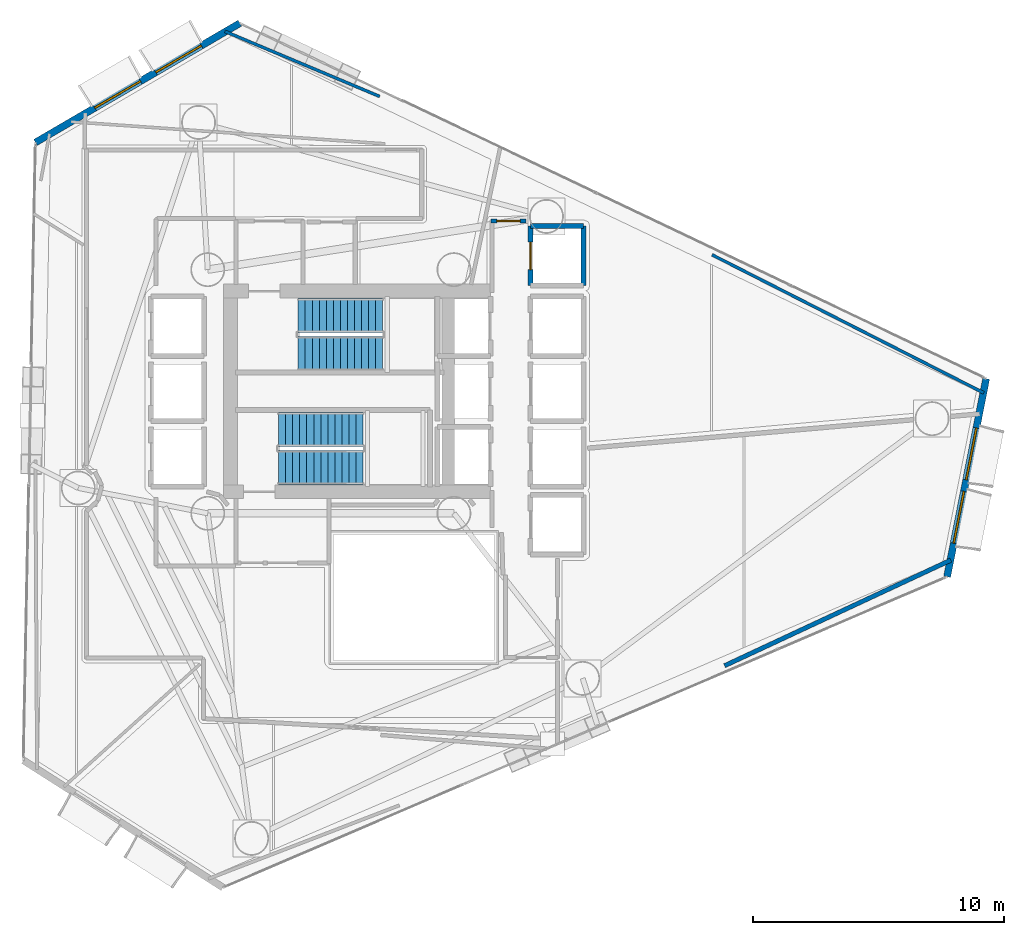
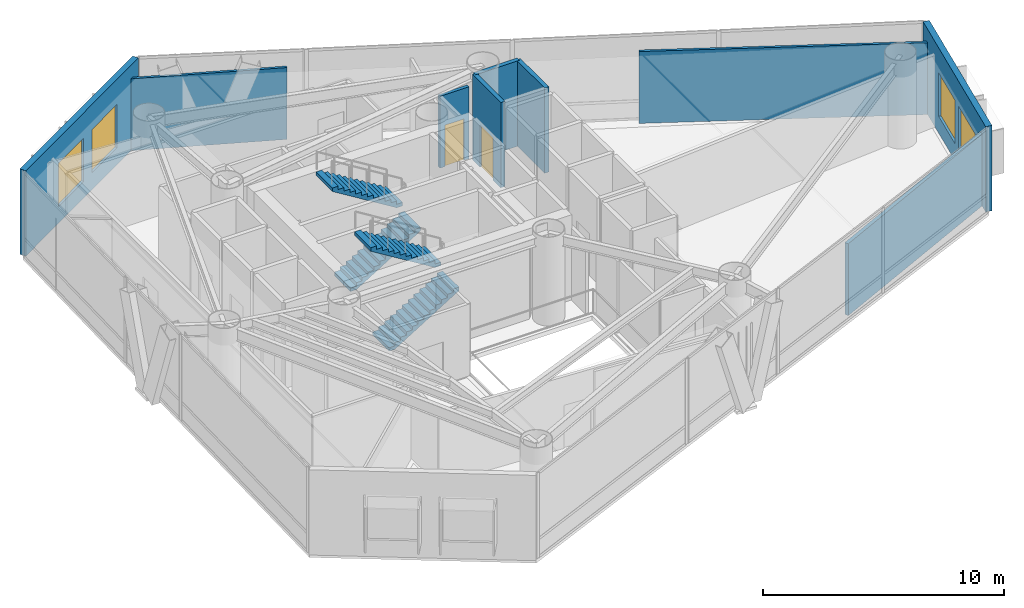
# One storey, part 18 of 21: 9 walls, 4 stair flights, 4 windows, 2 doors, 6 openings, 2 elements without a shape of their own.
"""IFC4 building model written with IfcOpenShell, lengths in metres."""

from ifc_helpers import new_model, si_unit, direction, frame, frame_2d, origin, place, context, subcontext, project, spatial, polyline, rectangle, outline, extrude, material, layer, layer_set, type_object, element, fill, aggregate, save


model = new_model("IFC4")

# Units and contexts
model_context = context("Model", 3, precision=1e-05, world=origin(), true_north=direction((0.0, 1.0)))
body_context = subcontext(model_context, "Body", "Model", "MODEL_VIEW")
ifc_project = project(units=[si_unit("LENGTHUNIT", "METRE"), si_unit("AREAUNIT", "SQUARE_METRE"), si_unit("VOLUMEUNIT", "CUBIC_METRE"), si_unit("PLANEANGLEUNIT", "RADIAN"), si_unit("MASSUNIT", "GRAM", prefix="KILO")], contexts=[model_context])

# Site, building, storey
site_placement = place(None, origin())
site = spatial("IfcSite", under=ifc_project, at=site_placement, CompositionType="ELEMENT")
building_placement = place(site_placement, origin())
building = spatial("IfcBuilding", under=site, at=building_placement, Name="Qianvela Tower", CompositionType="ELEMENT")
storey_placement = place(building_placement, frame((0.0, 0.0, 143.10009765625)))
storey = spatial("IfcBuildingStorey", under=building, at=storey_placement, Name="L36", CompositionType="ELEMENT", Elevation=143.10009765625)

# Wall, openings, windows
ifc_material_1 = material(Name="Terracotta Cladding on Concrete C40", Category="masonry")
ifc_layer_1 = layer(ifc_material_1, 0.280029296875)
ifc_layer_set_1 = layer_set([ifc_layer_1], Name="Terracotta Cladding on Concrete C40")
wall_type_1 = type_object("IfcWallType", Name="TERRACOTTA-WALL-280", PredefinedType="SOLIDWALL", material=ifc_layer_set_1)
wall_1_placement = place(storey_placement, frame((58.03466796875, 21.3251953125, 0.0), z_axis=(0.0, 0.0, 1.0), x_axis=(0.193252046098, 0.981149145991, 0.0)))
wall_1 = element("IfcWall", 1, at=wall_1_placement, inside=storey, type_object=wall_type_1, Name="L36 Terracotta Chamfer Facet Wall 1", PredefinedType="SOLIDWALL", context=body_context, shape_type="SweptSolid", body=[
    extrude(rectangle(XDim=8.03466796875, YDim=0.280029296875, at=frame_2d((4.017333984375, 0.0))), origin(), (0.0, 0.0, 1.0), 4.31982421875),
])
opening_1_placement = place(wall_1_placement, frame((1.3603515625, 0.0, 0.85009765625)))
opening_1 = element("IfcOpeningElement", 2, at=opening_1_placement, cuts=wall_1, Name="Opening W-04", PredefinedType="OPENING", context=body_context, shape_type="SweptSolid", body=[
    extrude(rectangle(XDim=2.10009765625, YDim=2.199951171875, at=frame_2d((1.050048828125, 1.10009765625))), frame((0.0, 0.14990234375, 0.0), z_axis=(0.0, -1.0, 0.0), x_axis=(1.0, 0.0, 0.0)), (0.0, 0.0, 1.0), 0.300048828125),
])
opening_2_placement = place(wall_1_placement, frame((3.934326171875, 0.0, 0.85009765625)))
opening_2 = element("IfcOpeningElement", 3, at=opening_2_placement, cuts=wall_1, Name="Opening W-04", PredefinedType="OPENING", context=body_context, shape_type="SweptSolid", body=[
    extrude(rectangle(XDim=2.10009765625, YDim=2.199951171875, at=frame_2d((1.050048828125, 1.10009765625))), frame((0.0, 0.14990234375, 0.0), z_axis=(0.0, -1.0, 0.0), x_axis=(1.0, 0.0, 0.0)), (0.0, 0.0, 1.0), 0.300048828125),
])
ifc_material_2 = material(Name="Thermally Broken Aluminium and Low-E Glass", Category="aluminium")
window_type = type_object("IfcWindowType", Name="WIN-TC-2100x2200", PartitioningType="TRIPLE_PANEL_VERTICAL", PredefinedType="WINDOW", material=ifc_material_2)
window_1_placement = place(opening_1_placement, origin())
window_1 = element("IfcWindow", 4, at=window_1_placement, inside=storey, type_object=window_type, Name="L36 Chamfer Facet Window 1.1", OverallHeight=2.199951171875, OverallWidth=2.10009765625, PartitioningType="SINGLE_PANEL", PredefinedType="WINDOW", context=body_context, shape_type="SweptSolid", body=[
    extrude(rectangle(XDim=2.10009765625, YDim=2.199951171875, at=frame_2d((1.050048828125, 1.10009765625))), frame((0.0, 0.030029296875, 0.0), z_axis=(0.0, -1.0, 0.0), x_axis=(1.0, 0.0, 0.0)), (0.0, 0.0, 1.0), 0.06005859375),
])
fill(opening_1, window_1)
window_2_placement = place(opening_2_placement, origin())
window_2 = element("IfcWindow", 5, at=window_2_placement, inside=storey, type_object=window_type, Name="L36 Chamfer Facet Window 1.2", OverallHeight=2.199951171875, OverallWidth=2.10009765625, PartitioningType="SINGLE_PANEL", PredefinedType="WINDOW", context=body_context, shape_type="SweptSolid", body=[
    extrude(rectangle(XDim=2.10009765625, YDim=2.199951171875, at=frame_2d((1.050048828125, 1.10009765625))), frame((0.0, 0.030029296875, 0.0), z_axis=(0.0, -1.0, 0.0), x_axis=(1.0, 0.0, 0.0)), (0.0, 0.0, 1.0), 0.06005859375),
])
fill(opening_2, window_2)

wall_2_placement = place(storey_placement, frame((29.87841796875, 43.36181640625, 0.0), z_axis=(0.0, 0.0, 1.0), x_axis=(-0.863698041635, -0.504009615857, 0.0)))
wall_2 = element("IfcWall", 6, at=wall_2_placement, inside=storey, type_object=wall_type_1, Name="L36 Terracotta Chamfer Facet Wall 3", PredefinedType="SOLIDWALL", context=body_context, shape_type="SweptSolid", body=[
    extrude(rectangle(XDim=9.419189453125, YDim=0.280029296875, at=frame_2d((4.70947265625, 0.0))), origin(), (0.0, 0.0, 1.0), 4.31982421875),
])
opening_3_placement = place(wall_2_placement, frame((1.775634765625, 0.0, 0.85009765625)))
opening_3 = element("IfcOpeningElement", 7, at=opening_3_placement, cuts=wall_2, Name="Opening W-04", PredefinedType="OPENING", context=body_context, shape_type="SweptSolid", body=[
    extrude(rectangle(XDim=2.10009765625, YDim=2.199951171875, at=frame_2d((1.050048828125, 1.10009765625))), frame((0.0, 0.14990234375, 0.0), z_axis=(0.0, -1.0, 0.0), x_axis=(1.0, 0.0, 0.0)), (0.0, 0.0, 1.0), 0.300048828125),
])
opening_4_placement = place(wall_2_placement, frame((4.58349609375, 0.0, 0.85009765625)))
opening_4 = element("IfcOpeningElement", 8, at=opening_4_placement, cuts=wall_2, Name="Opening W-04", PredefinedType="OPENING", context=body_context, shape_type="SweptSolid", body=[
    extrude(rectangle(XDim=2.10009765625, YDim=2.199951171875, at=frame_2d((1.050048828125, 1.10009765625))), frame((0.0, 0.14990234375, 0.0), z_axis=(0.0, -1.0, 0.0), x_axis=(1.0, 0.0, 0.0)), (0.0, 0.0, 1.0), 0.300048828125),
])
window_3_placement = place(opening_3_placement, origin())
window_3 = element("IfcWindow", 9, at=window_3_placement, inside=storey, type_object=window_type, Name="L36 Chamfer Facet Window 3.1", OverallHeight=2.199951171875, OverallWidth=2.10009765625, PartitioningType="SINGLE_PANEL", PredefinedType="WINDOW", context=body_context, shape_type="SweptSolid", body=[
    extrude(rectangle(XDim=2.10009765625, YDim=2.199951171875, at=frame_2d((1.050048828125, 1.10009765625))), frame((0.0, 0.030029296875, 0.0), z_axis=(0.0, -1.0, 0.0), x_axis=(1.0, 0.0, 0.0)), (0.0, 0.0, 1.0), 0.06005859375),
])
fill(opening_3, window_3)
window_4_placement = place(opening_4_placement, origin())
window_4 = element("IfcWindow", 10, at=window_4_placement, inside=storey, type_object=window_type, Name="L36 Chamfer Facet Window 3.2", OverallHeight=2.199951171875, OverallWidth=2.10009765625, PartitioningType="SINGLE_PANEL", PredefinedType="WINDOW", context=body_context, shape_type="SweptSolid", body=[
    extrude(rectangle(XDim=2.10009765625, YDim=2.199951171875, at=frame_2d((1.050048828125, 1.10009765625))), frame((0.0, 0.030029296875, 0.0), z_axis=(0.0, -1.0, 0.0), x_axis=(1.0, 0.0, 0.0)), (0.0, 0.0, 1.0), 0.06005859375),
])
fill(opening_4, window_4)

# Wall, opening, door
ifc_material_3 = material(Name="Fire-Rated Gypsum and Concrete Block", Category="concrete")
ifc_layer_2 = layer(ifc_material_3, 0.159912109375)
ifc_layer_set_2 = layer_set([ifc_layer_2], Name="Fire-Rated Gypsum and Concrete Block")
wall_type_2 = type_object("IfcWallType", Name="WT-CORR-160", PredefinedType="PARTITIONING", material=ifc_layer_set_2)
wall_3_placement = place(storey_placement, frame((39.8798828125, 35.489013671875, 0.0), z_axis=(0.0, 0.0, 1.0), x_axis=(1.0, 0.0, 0.0)))
wall_3 = element("IfcWall", 11, at=wall_3_placement, inside=storey, type_object=wall_type_2, Name="L36 Partition 13", PredefinedType="PARTITIONING", context=body_context, shape_type="SweptSolid", body=[
    extrude(rectangle(XDim=1.3828125, YDim=0.159912109375, at=frame_2d((0.69140625, 0.0))), origin(), (0.0, 0.0, 1.0), 3.639892578125),
])
opening_5_placement = place(wall_3_placement, frame((0.231201171875, 0.0, 0.0)))
opening_5 = element("IfcOpeningElement", 12, at=opening_5_placement, cuts=wall_3, Name="Opening D-RM2", PredefinedType="OPENING", context=body_context, shape_type="SweptSolid", body=[
    extrude(rectangle(XDim=0.919921875, YDim=2.10009765625, at=frame_2d((0.4599609375, 1.050048828125))), frame((0.0, 0.08984375, 0.0), z_axis=(0.0, -1.0, 0.0), x_axis=(1.0, 0.0, 0.0)), (0.0, 0.0, 1.0), 0.179931640625),
])
ifc_material_4 = material(Name="Acoustic Oak Veneer Timber Door", Category="wood")
door_type_1 = type_object("IfcDoorType", Name="DT-ROOM-920", OperationType="NOTDEFINED", PredefinedType="DOOR", material=ifc_material_4)
door_1_placement = place(opening_5_placement, origin())
door_1 = element("IfcDoor", 13, at=door_1_placement, inside=storey, type_object=door_type_1, Name="L36 Door L36 Academic Seminar Room to L36 Lift Lobby", OperationType="SINGLE_SWING_RIGHT", OverallHeight=2.10009765625, OverallWidth=0.919921875, PredefinedType="DOOR", context=body_context, shape_type="SweptSolid", body=[
    extrude(rectangle(XDim=0.919921875, YDim=2.10009765625, at=frame_2d((0.4599609375, 1.050048828125))), frame((0.0, 0.02490234375, 0.0), z_axis=(0.0, -1.0, 0.0), x_axis=(1.0, 0.0, 0.0)), (0.0, 0.0, 1.0), 0.050048828125),
])
fill(opening_5, door_1)

# Walls
ifc_material_5 = material(Name="Insulated Gypsum Stud Partition")
ifc_layer_3 = layer(ifc_material_5, 0.1201171875)
ifc_layer_set_3 = layer_set([ifc_layer_3], Name="Insulated Gypsum Stud Partition")
wall_type_3 = type_object("IfcWallType", Name="WT-PART-120", PredefinedType="PARTITIONING", material=ifc_layer_set_3)
wall_4_placement = place(storey_placement, frame((48.675048828125, 34.141357421875, 0.0), z_axis=(0.0, 0.0, 1.0), x_axis=(0.891467205554, -0.45308522534, 0.0)))
element("IfcWall", 14, at=wall_4_placement, inside=storey, type_object=wall_type_3, Name="L36 Partition 90 seg 1", PredefinedType="PARTITIONING", context=body_context, shape_type="SweptSolid", body=[
    extrude(rectangle(XDim=12.137939453125, YDim=0.1201171875, at=frame_2d((6.06884765625, 0.0))), origin(), (0.0, 0.0, 1.0), 3.639892578125),
])
wall_5_placement = place(storey_placement, frame((29.284423828125, 43.034423828125, 0.0), z_axis=(0.0, 0.0, 1.0), x_axis=(0.921833329639, -0.387586522426, 0.0)))
element("IfcWall", 15, at=wall_5_placement, inside=storey, type_object=wall_type_3, Name="L36 Partition 102 seg 1", PredefinedType="PARTITIONING", context=body_context, shape_type="SweptSolid", body=[
    extrude(rectangle(XDim=6.681884765625, YDim=0.1201171875, at=frame_2d((3.3408203125, 0.0))), origin(), (0.0, 0.0, 1.0), 3.639892578125),
])
ifc_material_6 = material(Name="Moisture-Resistant Acoustic Plumbing Wall")
ifc_layer_4 = layer(ifc_material_6, 0.175048828125)
ifc_layer_set_4 = layer_set([ifc_layer_4], Name="Moisture-Resistant Acoustic Plumbing Wall")
wall_type_4 = type_object("IfcWallType", Name="WT-PLUMB-175", PredefinedType="PLUMBINGWALL", material=ifc_layer_set_4)
wall_6_placement = place(storey_placement, frame((58.181884765625, 21.988037109375, 0.0), z_axis=(0.0, 0.0, 1.0), x_axis=(-0.906116634015, -0.423027948913, 0.0)))
element("IfcWall", 16, at=wall_6_placement, inside=storey, type_object=wall_type_4, Name="L36 Partition 81 seg 1", PredefinedType="PLUMBINGWALL", context=body_context, shape_type="SweptSolid", body=[
    extrude(rectangle(XDim=9.942626953125, YDim=0.175048828125, at=frame_2d((4.97119140625, 0.0))), origin(), (0.0, 0.0, 1.0), 3.639892578125),
])
ifc_material_7 = material(Name="Concrete C50", Category="concrete")
ifc_layer_5 = layer(ifc_material_7, 0.199951171875)
ifc_layer_set_5 = layer_set([ifc_layer_5], Name="Concrete C50")
wall_type_5 = type_object("IfcWallType", Name="WT-SHAFT-200", PredefinedType="SOLIDWALL", material=ifc_layer_set_5)
wall_7_placement = place(storey_placement, frame((43.550048828125, 32.919921875, 0.0), z_axis=(0.0, 0.0, 1.0), x_axis=(0.0, 1.0, 0.0)))
element("IfcWall", 17, at=wall_7_placement, inside=storey, type_object=wall_type_5, Name="L36 Lift PL-H3 E Shaft Wall", PredefinedType="SOLIDWALL", context=body_context, shape_type="SweptSolid", body=[
    extrude(rectangle(XDim=2.360107421875, YDim=0.199951171875, at=frame_2d((1.18017578125, 0.0))), origin(), (0.0, 0.0, 1.0), 4.31982421875),
])

# Wall, opening, door
wall_8_placement = place(storey_placement, frame((41.449951171875, 32.919921875, 0.0), z_axis=(0.0, 0.0, 1.0), x_axis=(0.0, 1.0, 0.0)))
wall_8 = element("IfcWall", 18, at=wall_8_placement, inside=storey, type_object=wall_type_5, Name="L36 Lift PL-H3 W Shaft Wall", PredefinedType="SOLIDWALL", context=body_context, shape_type="SweptSolid", body=[
    extrude(rectangle(XDim=2.360107421875, YDim=0.199951171875, at=frame_2d((1.18017578125, 0.0))), origin(), (0.0, 0.0, 1.0), 4.31982421875),
])
opening_6_placement = place(wall_8_placement, frame((0.6298828125, 0.0, 0.0)))
opening_6 = element("IfcOpeningElement", 19, at=opening_6_placement, cuts=wall_8, Name="Opening LD-01", PredefinedType="OPENING", context=body_context, shape_type="SweptSolid", body=[
    extrude(rectangle(XDim=1.10009765625, YDim=2.14990234375, at=frame_2d((0.550048828125, 1.074951171875))), frame((0.0, 0.10986328125, 0.0), z_axis=(0.0, -1.0, 0.0), x_axis=(1.0, 0.0, 0.0)), (0.0, 0.0, 1.0), 0.219970703125),
])
ifc_material_8 = material(Name="Brushed Stainless Steel Lift Landing Door", Category="steel")
door_type_2 = type_object("IfcDoorType", Name="DT-LIFT-SLIDE-1100", OperationType="SLIDING_TO_LEFT", PredefinedType="DOOR", material=ifc_material_8)
door_2_placement = place(opening_6_placement, origin())
door_2 = element("IfcDoor", 20, at=door_2_placement, inside=storey, type_object=door_type_2, Name="L36 Lift PL-H3 Sliding Landing Door", OperationType="SLIDING_TO_LEFT", OverallHeight=2.14990234375, OverallWidth=1.10009765625, PredefinedType="DOOR", context=body_context, shape_type="SweptSolid", body=[
    extrude(rectangle(XDim=1.10009765625, YDim=2.14990234375, at=frame_2d((0.550048828125, 1.074951171875))), frame((0.0, 0.02490234375, 0.0), z_axis=(0.0, -1.0, 0.0), x_axis=(1.0, 0.0, 0.0)), (0.0, 0.0, 1.0), 0.050048828125),
])
fill(opening_6, door_2)

# Wall
wall_9_placement = place(storey_placement, frame((41.449951171875, 35.280029296875, 0.0), z_axis=(0.0, 0.0, 1.0), x_axis=(1.0, 0.0, 0.0)))
element("IfcWall", 21, at=wall_9_placement, inside=storey, type_object=wall_type_5, Name="L36 Lift PL-H3 N Shaft Wall", PredefinedType="SOLIDWALL", context=body_context, shape_type="SweptSolid", body=[
    extrude(rectangle(XDim=2.10009765625, YDim=0.199951171875, at=frame_2d((1.050048828125, 0.0))), origin(), (0.0, 0.0, 1.0), 4.31982421875),
])

# Stair, stair flights
ifc_material_9 = material(Name="Concrete C40", Category="concrete")
stair_type = type_object("IfcStairType", Name="ST-DOGLEG-1350-R173-N26", PredefinedType="HALF_TURN_STAIR", material=ifc_material_9)
stair_1_placement = place(storey_placement, origin())
stair_1 = element("IfcStair", 22, at=stair_1_placement, inside=storey, type_object=stair_type, Name="L36 Smoke-Proof Core Stair ST-1", PredefinedType="HALF_TURN_STAIR")
ifc_material_10 = material(Name="Concrete C40", Category="concrete")
stair_flight_type = type_object("IfcStairFlightType", Name="STF-STRAIGHT-R173-P13", PredefinedType="STRAIGHT", material=ifc_material_10)
stair_flight_1_placement = place(storey_placement, frame((32.199951171875, 30.215087890625, 0.0), z_axis=(0.0, 0.0, 1.0), x_axis=(1.0, 0.0, 0.0)))
stair_flight_1 = element("IfcStairFlight", 23, at=stair_flight_1_placement, type_object=stair_flight_type, Name="ST-1 flight 1", NumberOfRisers=13, NumberOfTreads=12, PredefinedType="STRAIGHT", RiserHeight=0.173076923, TreadLength=0.28, context=body_context, shape_type="SweptSolid", body=[
    extrude(outline(polyline([(0.0, 0.0), (0.0, 0.173095703125), (0.280029296875, 0.173095703125), (0.280029296875, 0.34619140625), (0.56005859375, 0.34619140625), (0.56005859375, 0.519287109375), (0.840087890625, 0.519287109375), (0.840087890625, 0.6923828125), (1.1201171875, 0.6923828125), (1.1201171875, 0.865478515625), (1.39990234375, 0.865478515625), (1.39990234375, 1.03857421875), (1.679931640625, 1.03857421875), (1.679931640625, 1.21142578125), (1.9599609375, 1.21142578125), (1.9599609375, 1.384521484375), (2.239990234375, 1.384521484375), (2.239990234375, 1.5576171875), (2.52001953125, 1.5576171875), (2.52001953125, 1.730712890625), (2.800048828125, 1.730712890625), (2.800048828125, 1.90380859375), (3.080078125, 1.90380859375), (3.080078125, 2.076904296875), (3.360107421875, 2.076904296875), (3.360107421875, 2.25), (3.360107421875, 1.900634765625), (0.28515625, 0.0), (0.0, 0.0)])), frame((0.0, 0.675048828125, 0.0), z_axis=(0.0, -1.0, 0.0), x_axis=(1.0, 0.0, 0.0)), (0.0, 0.0, 1.0), 1.35009765625),
])
stair_flight_2_placement = place(storey_placement, frame((35.56005859375, 31.72509765625, 2.25), z_axis=(0.0, 0.0, 1.0), x_axis=(-1.0, 0.0, 0.0)))
stair_flight_2 = element("IfcStairFlight", 24, at=stair_flight_2_placement, type_object=stair_flight_type, Name="ST-1 flight 2", NumberOfRisers=13, NumberOfTreads=12, PredefinedType="STRAIGHT", RiserHeight=0.173076923, TreadLength=0.28, context=body_context, shape_type="SweptSolid", body=[
    extrude(outline(polyline([(0.0, 0.0), (0.0, 0.173095703125), (0.280029296875, 0.173095703125), (0.280029296875, 0.34619140625), (0.56005859375, 0.34619140625), (0.56005859375, 0.519287109375), (0.840087890625, 0.519287109375), (0.840087890625, 0.6923828125), (1.1201171875, 0.6923828125), (1.1201171875, 0.865478515625), (1.39990234375, 0.865478515625), (1.39990234375, 1.03857421875), (1.679931640625, 1.03857421875), (1.679931640625, 1.21142578125), (1.9599609375, 1.21142578125), (1.9599609375, 1.384521484375), (2.239990234375, 1.384521484375), (2.239990234375, 1.5576171875), (2.52001953125, 1.5576171875), (2.52001953125, 1.730712890625), (2.800048828125, 1.730712890625), (2.800048828125, 1.90380859375), (3.080078125, 1.90380859375), (3.080078125, 2.076904296875), (3.360107421875, 2.076904296875), (3.360107421875, 2.25), (3.360107421875, 1.900634765625), (0.28515625, 0.0), (0.0, 0.0)])), frame((0.0, 0.675048828125, 0.0), z_axis=(0.0, -1.0, 0.0), x_axis=(1.0, 0.0, 0.0)), (0.0, 0.0, 1.0), 1.35009765625),
])
aggregate(stair_1, [stair_flight_1, stair_flight_2])

stair_2_placement = place(storey_placement, origin())
stair_2 = element("IfcStair", 25, at=stair_2_placement, inside=storey, type_object=stair_type, Name="L36 Smoke-Proof Core Stair ST-2", PredefinedType="HALF_TURN_STAIR")
stair_flight_3_placement = place(storey_placement, frame((31.419921875, 25.675048828125, 0.0), z_axis=(0.0, 0.0, 1.0), x_axis=(1.0, 0.0, 0.0)))
stair_flight_3 = element("IfcStairFlight", 26, at=stair_flight_3_placement, type_object=stair_flight_type, Name="ST-2 flight 1", NumberOfRisers=13, NumberOfTreads=12, PredefinedType="STRAIGHT", RiserHeight=0.173076923, TreadLength=0.28, context=body_context, shape_type="SweptSolid", body=[
    extrude(outline(polyline([(0.0, 0.0), (0.0, 0.173095703125), (0.280029296875, 0.173095703125), (0.280029296875, 0.34619140625), (0.56005859375, 0.34619140625), (0.56005859375, 0.519287109375), (0.840087890625, 0.519287109375), (0.840087890625, 0.6923828125), (1.1201171875, 0.6923828125), (1.1201171875, 0.865478515625), (1.39990234375, 0.865478515625), (1.39990234375, 1.03857421875), (1.679931640625, 1.03857421875), (1.679931640625, 1.21142578125), (1.9599609375, 1.21142578125), (1.9599609375, 1.384521484375), (2.239990234375, 1.384521484375), (2.239990234375, 1.5576171875), (2.52001953125, 1.5576171875), (2.52001953125, 1.730712890625), (2.800048828125, 1.730712890625), (2.800048828125, 1.90380859375), (3.080078125, 1.90380859375), (3.080078125, 2.076904296875), (3.360107421875, 2.076904296875), (3.360107421875, 2.25), (3.360107421875, 1.900634765625), (0.28515625, 0.0), (0.0, 0.0)])), frame((0.0, 0.675048828125, 0.0), z_axis=(0.0, -1.0, 0.0), x_axis=(1.0, 0.0, 0.0)), (0.0, 0.0, 1.0), 1.35009765625),
])
stair_flight_4_placement = place(storey_placement, frame((34.780029296875, 27.18505859375, 2.25), z_axis=(0.0, 0.0, 1.0), x_axis=(-1.0, 0.0, 0.0)))
stair_flight_4 = element("IfcStairFlight", 27, at=stair_flight_4_placement, type_object=stair_flight_type, Name="ST-2 flight 2", NumberOfRisers=13, NumberOfTreads=12, PredefinedType="STRAIGHT", RiserHeight=0.173076923, TreadLength=0.28, context=body_context, shape_type="SweptSolid", body=[
    extrude(outline(polyline([(0.0, 0.0), (0.0, 0.173095703125), (0.280029296875, 0.173095703125), (0.280029296875, 0.34619140625), (0.56005859375, 0.34619140625), (0.56005859375, 0.519287109375), (0.840087890625, 0.519287109375), (0.840087890625, 0.6923828125), (1.1201171875, 0.6923828125), (1.1201171875, 0.865478515625), (1.39990234375, 0.865478515625), (1.39990234375, 1.03857421875), (1.679931640625, 1.03857421875), (1.679931640625, 1.21142578125), (1.9599609375, 1.21142578125), (1.9599609375, 1.384521484375), (2.239990234375, 1.384521484375), (2.239990234375, 1.5576171875), (2.52001953125, 1.5576171875), (2.52001953125, 1.730712890625), (2.800048828125, 1.730712890625), (2.800048828125, 1.90380859375), (3.080078125, 1.90380859375), (3.080078125, 2.076904296875), (3.360107421875, 2.076904296875), (3.360107421875, 2.25), (3.360107421875, 1.900634765625), (0.28515625, 0.0), (0.0, 0.0)])), frame((0.0, 0.675048828125, 0.0), z_axis=(0.0, -1.0, 0.0), x_axis=(1.0, 0.0, 0.0)), (0.0, 0.0, 1.0), 1.35009765625),
])
aggregate(stair_2, [stair_flight_3, stair_flight_4])

save(model, "model.ifc")
